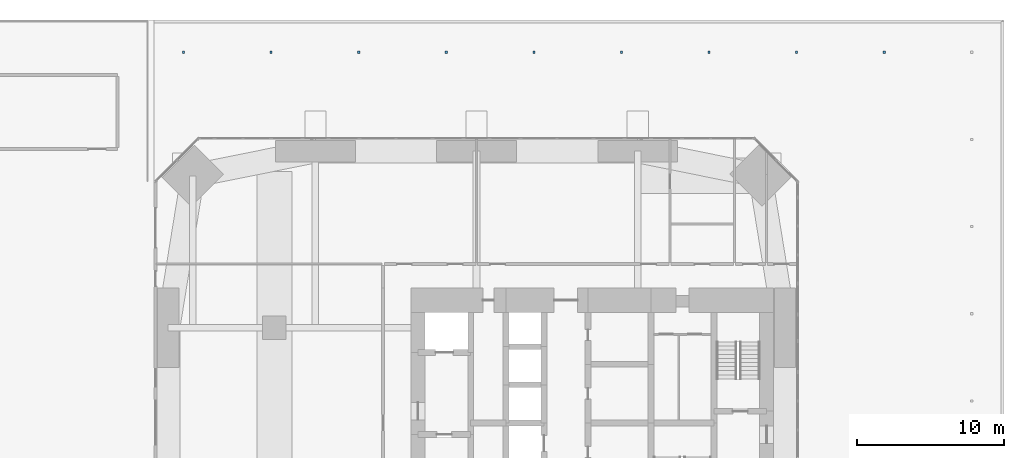
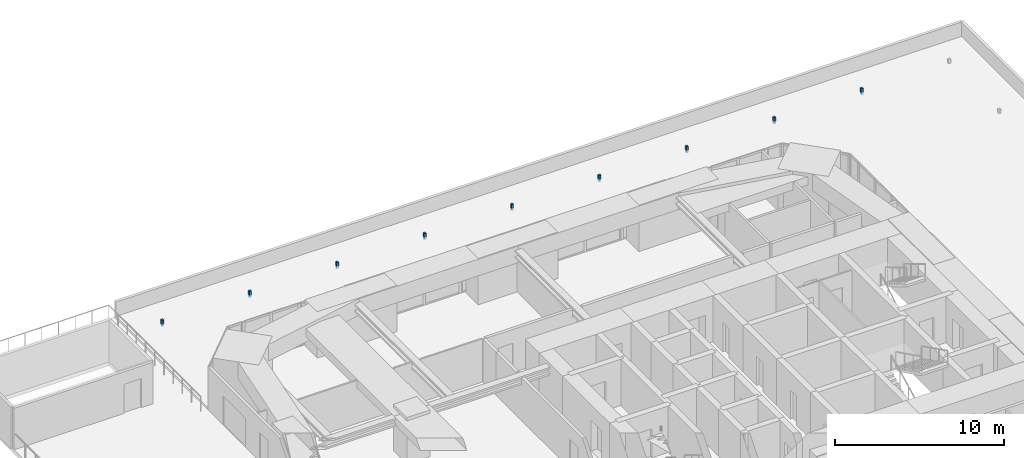
# One storey, part 18 of 20: 9 discrete accessories.
"""IFC4 building model written with IfcOpenShell, lengths in metres."""

from ifc_helpers import new_model, si_unit, direction, frame, origin, origin_2d, place, context, subcontext, project, spatial, rectangle, extrude, material, type_object, element, save


model = new_model("IFC4")

# Units and contexts
model_context = context("Model", 3, precision=1e-05, world=origin(), true_north=direction((0.0, 1.0)))
body_context = subcontext(model_context, "Body", "Model", "MODEL_VIEW")
ifc_project = project(units=[si_unit("LENGTHUNIT", "METRE"), si_unit("AREAUNIT", "SQUARE_METRE"), si_unit("VOLUMEUNIT", "CUBIC_METRE"), si_unit("PLANEANGLEUNIT", "RADIAN"), si_unit("MASSUNIT", "GRAM", prefix="KILO")], contexts=[model_context])

# Site, building, storey
site_placement = place(None, origin())
site = spatial("IfcSite", under=ifc_project, at=site_placement, CompositionType="ELEMENT")
building_placement = place(site_placement, origin())
building = spatial("IfcBuilding", under=site, at=building_placement, Name="Jalousie Tower", CompositionType="ELEMENT")
storey_placement = place(building_placement, frame((0.0, 0.0, 21.0)))
storey = spatial("IfcBuildingStorey", under=building, at=storey_placement, Name="L04", CompositionType="ELEMENT", Elevation=21.0)

# Discrete accessories
ifc_material = material(Name="Stainless steel AISI 316", Category="steel")
discrete_accessory_type = type_object("IfcDiscreteAccessoryType", Name="FALL ARREST ANCHOR POST", PredefinedType="USERDEFINED", material=ifc_material)
for number, where, z_axis, x_axis, name in (
    (1, (51.822265625, 43.800048828125, 0.0), (0.0, 0.0, 1.0), (1.0, 0.0, 0.0), "Fall arrest anchor 19, maintenance only"),
    (2, (45.844482421875, 43.800048828125, 0.0), (0.0, 0.0, 1.0), (1.0, 0.0, 0.0), "Fall arrest anchor 20, maintenance only"),
    (3, (39.86669921875, 43.800048828125, 0.0), (0.0, 0.0, 1.0), (1.0, 0.0, 0.0), "Fall arrest anchor 21, maintenance only"),
    (4, (33.888916015625, 43.800048828125, 0.0), (0.0, 0.0, 1.0), (1.0, 0.0, 0.0), "Fall arrest anchor 22, maintenance only"),
    (5, (27.9111328125, 43.800048828125, 0.0), (0.0, 0.0, 1.0), (1.0, 0.0, 0.0), "Fall arrest anchor 23, maintenance only"),
    (6, (21.933349609375, 43.800048828125, 0.0), (0.0, 0.0, 1.0), (1.0, 0.0, 0.0), "Fall arrest anchor 24, maintenance only"),
    (7, (15.95556640625, 43.800048828125, 0.0), (0.0, 0.0, 1.0), (1.0, 0.0, 0.0), "Fall arrest anchor 25, maintenance only"),
    (8, (9.977783203125, 43.800048828125, 0.0), (0.0, 0.0, 1.0), (1.0, 0.0, 0.0), "Fall arrest anchor 26, maintenance only"),
    (9, (4.0, 43.800048828125, 0.0), (0.0, 0.0, 1.0), (1.0, 0.0, 0.0), "Fall arrest anchor 27, maintenance only"),
):
    element("IfcDiscreteAccessory", number, at=place(storey_placement, frame(where, z_axis=z_axis, x_axis=x_axis)), inside=storey, type_object=discrete_accessory_type, Name=name, ObjectType="FALL ARREST ANCHOR", PredefinedType="USERDEFINED", context=body_context, shape_type="SweptSolid", body=[
        extrude(rectangle(XDim=0.14990234375, YDim=0.14990234375, at=origin_2d()), origin(), (0.0, 0.0, 1.0), 0.449951171875),
    ])

save(model, "model.ifc")
